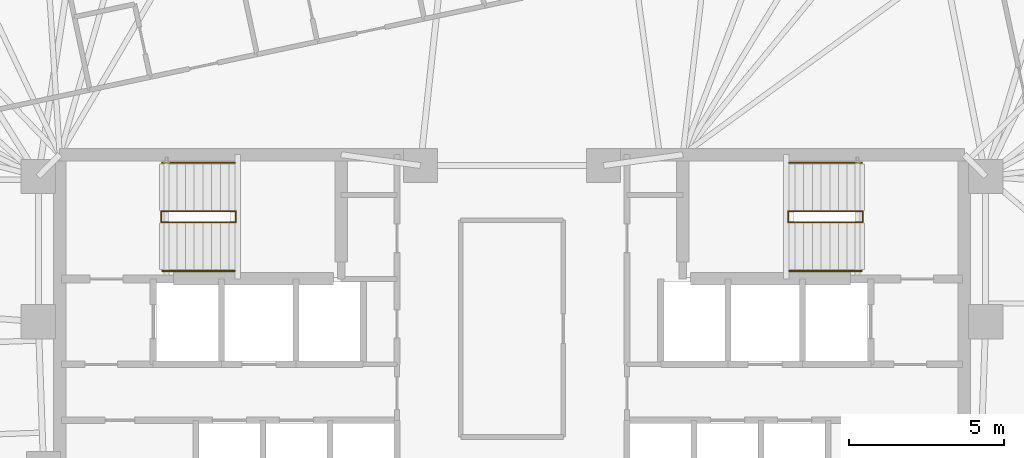
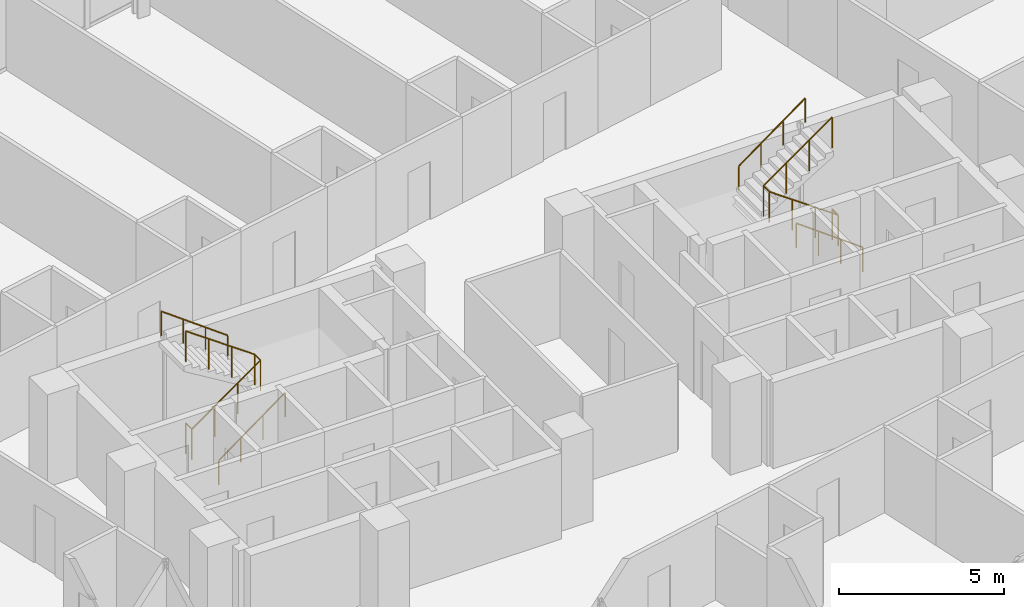
# One storey, part 20 of 20: 6 railings.
"""IFC4 building model written with IfcOpenShell, lengths in metres."""

from ifc_helpers import new_model, si_unit, direction, frame, origin, origin_2d, place, context, subcontext, project, spatial, circle, extrude, material, type_object, element, save


model = new_model("IFC4")

# Units and contexts
model_context = context("Model", 3, precision=1e-05, world=origin(), true_north=direction((0.0, 1.0)))
body_context = subcontext(model_context, "Body", "Model", "MODEL_VIEW")
ifc_project = project(units=[si_unit("LENGTHUNIT", "METRE"), si_unit("AREAUNIT", "SQUARE_METRE"), si_unit("VOLUMEUNIT", "CUBIC_METRE"), si_unit("PLANEANGLEUNIT", "RADIAN"), si_unit("MASSUNIT", "GRAM", prefix="KILO")], contexts=[model_context])

# Site, building, storey
site_placement = place(None, origin())
site = spatial("IfcSite", under=ifc_project, at=site_placement, CompositionType="ELEMENT")
building_placement = place(site_placement, origin())
building = spatial("IfcBuilding", under=site, at=building_placement, Name="Menara Jurai Vektor", CompositionType="ELEMENT")
storey_placement = place(building_placement, frame((0.0, 0.0, 158.199951171875)))
storey = spatial("IfcBuildingStorey", under=building, at=storey_placement, Name="L40", CompositionType="ELEMENT", Elevation=158.199951171875)

# Railings
ifc_material_1 = material(Name="Painted Galvanised Steel Balustrade", Category="steel")
railing_type_1 = type_object("IfcRailingType", Name="RAIL-STAIR-GUARD", PredefinedType="GUARDRAIL", material=ifc_material_1)
railing_1_placement = place(storey_placement, frame((-11.2900390625, 3.780029296875, 0.0)))
element("IfcRailing", 1, at=railing_1_placement, inside=storey, type_object=railing_type_1, Name="ST1 Stair Guardrail 1 L40", PredefinedType="GUARDRAIL", context=body_context, shape_type="SweptSolid", body=[
    extrude(circle(Radius=0.02392578125, at=origin_2d()), frame((0.0, 0.0, 1.1259765625), z_axis=(0.0, -1.0, 0.0), x_axis=(1.0, 0.0, 0.0)), (0.0, 0.0, 1.0), 0.360107421875),
    extrude(circle(Radius=0.02392578125, at=origin_2d()), frame((0.0, -0.360107421875, 1.1259765625), z_axis=(0.816048950856, 0.0, 0.577982793694), x_axis=(0.0, 1.0, 0.0)), (0.0, 0.0, 1.0), 2.941162109375),
    extrude(circle(Radius=0.02392578125, at=origin_2d()), frame((2.400146484375, -0.360107421875, 2.82568359375), z_axis=(0.0, 1.0, 0.0), x_axis=(-1.0, 0.0, 0.0)), (0.0, 0.0, 1.0), 0.360107421875),
    extrude(circle(Radius=0.02392578125, at=origin_2d()), frame((2.400146484375, 0.0, 2.82568359375), z_axis=(-0.816009799251, 0.0, 0.57803806754), x_axis=(0.0, -1.0, 0.0)), (0.0, 0.0, 1.0), 2.94140625),
    extrude(circle(Radius=0.02099609375, at=origin_2d()), origin(), (0.0, 0.0, 1.0), 1.101806640625),
    extrude(circle(Radius=0.02099609375, at=origin_2d()), frame((0.0, -0.360107421875, 0.0)), (0.0, 0.0, 1.0), 1.101806640625),
    extrude(circle(Radius=0.02099609375, at=origin_2d()), frame((0.800048828125, -0.360107421875, 0.566650390625)), (0.0, 0.0, 1.0), 1.101806640625),
    extrude(circle(Radius=0.02099609375, at=origin_2d()), frame((1.60009765625, -0.360107421875, 1.13330078125)), (0.0, 0.0, 1.0), 1.101806640625),
    extrude(circle(Radius=0.02099609375, at=origin_2d()), frame((2.400146484375, -0.360107421875, 1.699951171875)), (0.0, 0.0, 1.0), 1.101806640625),
    extrude(circle(Radius=0.02099609375, at=origin_2d()), frame((2.400146484375, 0.0, 1.699951171875)), (0.0, 0.0, 1.0), 1.101806640625),
    extrude(circle(Radius=0.02099609375, at=origin_2d()), frame((1.60009765625, 0.0, 2.2666015625)), (0.0, 0.0, 1.0), 1.101806640625),
    extrude(circle(Radius=0.02099609375, at=origin_2d()), frame((0.800048828125, 0.0, 2.83349609375)), (0.0, 0.0, 1.0), 1.101806640625),
    extrude(circle(Radius=0.02099609375, at=origin_2d()), frame((0.0, 0.0, 3.400146484375)), (0.0, 0.0, 1.0), 1.101806640625),
])
railing_2_placement = place(storey_placement, frame((11.2900390625, 3.780029296875, 0.0)))
element("IfcRailing", 2, at=railing_2_placement, inside=storey, type_object=railing_type_1, Name="ST2 Stair Guardrail 1 L40", PredefinedType="GUARDRAIL", context=body_context, shape_type="SweptSolid", body=[
    extrude(circle(Radius=0.02392578125, at=origin_2d()), frame((0.0, 0.0, 1.1259765625), z_axis=(0.0, -1.0, 0.0), x_axis=(1.0, 0.0, 0.0)), (0.0, 0.0, 1.0), 0.360107421875),
    extrude(circle(Radius=0.02392578125, at=origin_2d()), frame((0.0, -0.360107421875, 1.1259765625), z_axis=(-0.816048950856, 0.0, 0.577982793694), x_axis=(0.0, -1.0, 0.0)), (0.0, 0.0, 1.0), 2.941162109375),
    extrude(circle(Radius=0.02392578125, at=origin_2d()), frame((-2.400146484375, -0.360107421875, 2.82568359375), z_axis=(0.0, 1.0, 0.0), x_axis=(-1.0, 0.0, 0.0)), (0.0, 0.0, 1.0), 0.360107421875),
    extrude(circle(Radius=0.02392578125, at=origin_2d()), frame((-2.400146484375, 0.0, 2.82568359375), z_axis=(0.816009799251, 0.0, 0.57803806754), x_axis=(0.0, 1.0, 0.0)), (0.0, 0.0, 1.0), 2.94140625),
    extrude(circle(Radius=0.02099609375, at=origin_2d()), origin(), (0.0, 0.0, 1.0), 1.101806640625),
    extrude(circle(Radius=0.02099609375, at=origin_2d()), frame((0.0, -0.360107421875, 0.0)), (0.0, 0.0, 1.0), 1.101806640625),
    extrude(circle(Radius=0.02099609375, at=origin_2d()), frame((-0.800048828125, -0.360107421875, 0.566650390625)), (0.0, 0.0, 1.0), 1.101806640625),
    extrude(circle(Radius=0.02099609375, at=origin_2d()), frame((-1.60009765625, -0.360107421875, 1.13330078125)), (0.0, 0.0, 1.0), 1.101806640625),
    extrude(circle(Radius=0.02099609375, at=origin_2d()), frame((-2.400146484375, -0.360107421875, 1.699951171875)), (0.0, 0.0, 1.0), 1.101806640625),
    extrude(circle(Radius=0.02099609375, at=origin_2d()), frame((-2.400146484375, 0.0, 1.699951171875)), (0.0, 0.0, 1.0), 1.101806640625),
    extrude(circle(Radius=0.02099609375, at=origin_2d()), frame((-1.60009765625, 0.0, 2.2666015625)), (0.0, 0.0, 1.0), 1.101806640625),
    extrude(circle(Radius=0.02099609375, at=origin_2d()), frame((-0.800048828125, 0.0, 2.83349609375)), (0.0, 0.0, 1.0), 1.101806640625),
    extrude(circle(Radius=0.02099609375, at=origin_2d()), frame((0.0, 0.0, 3.400146484375)), (0.0, 0.0, 1.0), 1.101806640625),
])
ifc_material_2 = material(Name="Brushed Stainless Steel Handrail", Category="steel")
railing_type_2 = type_object("IfcRailingType", Name="RAIL-STAIR-HAND", PredefinedType="HANDRAIL", material=ifc_material_2)
railing_3_placement = place(storey_placement, frame((-11.25, 1.860107421875, 0.0)))
element("IfcRailing", 3, at=railing_3_placement, inside=storey, type_object=railing_type_2, Name="ST1 Stair Handrail 1 L40", PredefinedType="HANDRAIL", context=body_context, shape_type="SweptSolid", body=[
    extrude(circle(Radius=0.02392578125, at=origin_2d()), frame((0.0, 0.0, 0.89599609375), z_axis=(0.806642406755, 0.0, 0.591039785145), x_axis=(0.0, 1.0, 0.0)), (0.0, 0.0, 1.0), 2.876220703125),
    extrude(circle(Radius=0.02099609375, at=origin_2d()), origin(), (0.0, 0.0, 1.0), 0.871826171875),
    extrude(circle(Radius=0.02099609375, at=origin_2d()), frame((0.7734375, 0.0, 0.566650390625)), (0.0, 0.0, 1.0), 0.871826171875),
    extrude(circle(Radius=0.02099609375, at=origin_2d()), frame((1.546630859375, 0.0, 1.13330078125)), (0.0, 0.0, 1.0), 0.871826171875),
    extrude(circle(Radius=0.02099609375, at=origin_2d()), frame((2.320068359375, 0.0, 1.699951171875)), (0.0, 0.0, 1.0), 0.871826171875),
])
railing_4_placement = place(storey_placement, frame((-8.929931640625, 5.340087890625, 1.699951171875)))
element("IfcRailing", 4, at=railing_4_placement, inside=storey, type_object=railing_type_2, Name="ST1 Stair Handrail 2 L40", PredefinedType="HANDRAIL", context=body_context, shape_type="SweptSolid", body=[
    extrude(circle(Radius=0.02392578125, at=origin_2d()), frame((0.0, 0.0, 0.89599609375), z_axis=(-0.806601938303, 0.0, 0.591095011927), x_axis=(0.0, -1.0, 0.0)), (0.0, 0.0, 1.0), 2.87646484375),
    extrude(circle(Radius=0.02099609375, at=origin_2d()), origin(), (0.0, 0.0, 1.0), 0.871826171875),
    extrude(circle(Radius=0.02099609375, at=origin_2d()), frame((-0.7734375, 0.0, 0.566650390625)), (0.0, 0.0, 1.0), 0.871826171875),
    extrude(circle(Radius=0.02099609375, at=origin_2d()), frame((-1.546630859375, 0.0, 1.133544921875)), (0.0, 0.0, 1.0), 0.871826171875),
    extrude(circle(Radius=0.02099609375, at=origin_2d()), frame((-2.320068359375, 0.0, 1.7001953125)), (0.0, 0.0, 1.0), 0.871826171875),
])
railing_5_placement = place(storey_placement, frame((11.25, 1.860107421875, 0.0)))
element("IfcRailing", 5, at=railing_5_placement, inside=storey, type_object=railing_type_2, Name="ST2 Stair Handrail 1 L40", PredefinedType="HANDRAIL", context=body_context, shape_type="SweptSolid", body=[
    extrude(circle(Radius=0.02392578125, at=origin_2d()), frame((0.0, 0.0, 0.89599609375), z_axis=(-0.806642406755, 0.0, 0.591039785145), x_axis=(0.0, -1.0, 0.0)), (0.0, 0.0, 1.0), 2.876220703125),
    extrude(circle(Radius=0.02099609375, at=origin_2d()), origin(), (0.0, 0.0, 1.0), 0.871826171875),
    extrude(circle(Radius=0.02099609375, at=origin_2d()), frame((-0.7734375, 0.0, 0.566650390625)), (0.0, 0.0, 1.0), 0.871826171875),
    extrude(circle(Radius=0.02099609375, at=origin_2d()), frame((-1.546630859375, 0.0, 1.13330078125)), (0.0, 0.0, 1.0), 0.871826171875),
    extrude(circle(Radius=0.02099609375, at=origin_2d()), frame((-2.320068359375, 0.0, 1.699951171875)), (0.0, 0.0, 1.0), 0.871826171875),
])
railing_6_placement = place(storey_placement, frame((8.929931640625, 5.340087890625, 1.699951171875)))
element("IfcRailing", 6, at=railing_6_placement, inside=storey, type_object=railing_type_2, Name="ST2 Stair Handrail 2 L40", PredefinedType="HANDRAIL", context=body_context, shape_type="SweptSolid", body=[
    extrude(circle(Radius=0.02392578125, at=origin_2d()), frame((0.0, 0.0, 0.89599609375), z_axis=(0.806601938303, 0.0, 0.591095011927), x_axis=(0.0, 1.0, 0.0)), (0.0, 0.0, 1.0), 2.87646484375),
    extrude(circle(Radius=0.02099609375, at=origin_2d()), origin(), (0.0, 0.0, 1.0), 0.871826171875),
    extrude(circle(Radius=0.02099609375, at=origin_2d()), frame((0.7734375, 0.0, 0.566650390625)), (0.0, 0.0, 1.0), 0.871826171875),
    extrude(circle(Radius=0.02099609375, at=origin_2d()), frame((1.546630859375, 0.0, 1.133544921875)), (0.0, 0.0, 1.0), 0.871826171875),
    extrude(circle(Radius=0.02099609375, at=origin_2d()), frame((2.320068359375, 0.0, 1.7001953125)), (0.0, 0.0, 1.0), 0.871826171875),
])

save(model, "model.ifc")
